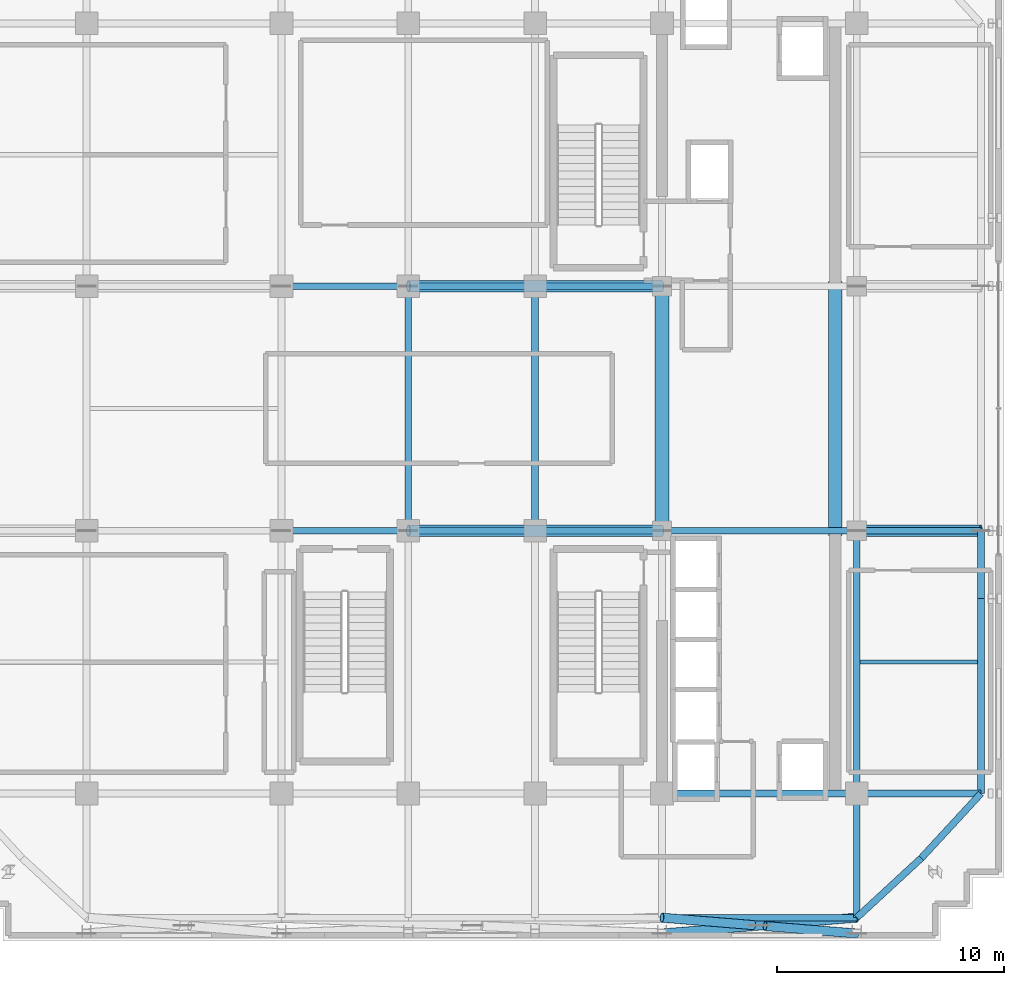
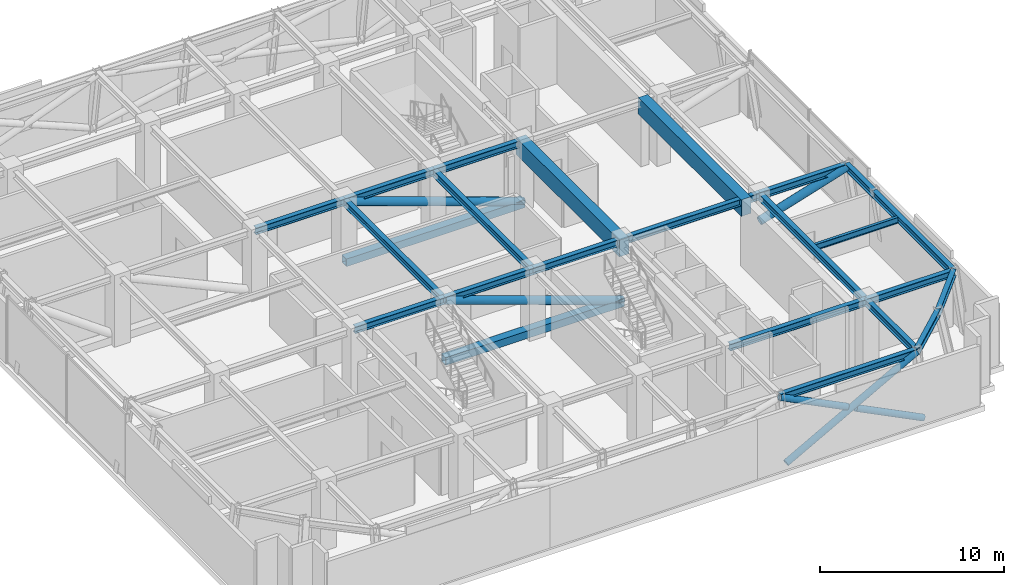
# One storey, part 5 of 15: 22 beams, 8 members.
"""IFC4 building model written with IfcOpenShell, lengths in metres."""

from ifc_helpers import new_model, si_unit, direction, frame, origin, origin_2d, place, context, subcontext, project, spatial, rectangle, hollow_rectangle, hollow_circle, i_section, extrude, source, transform, mapped, material, material_profile, profile_set, type_object, element, save


model = new_model("IFC4")

# Units and contexts
model_context = context("Model", 3, precision=1e-05, world=origin(), true_north=direction((0.0, 1.0)))
body_context = subcontext(model_context, "Body", "Model", "MODEL_VIEW")
ifc_project = project(units=[si_unit("LENGTHUNIT", "METRE"), si_unit("AREAUNIT", "SQUARE_METRE"), si_unit("VOLUMEUNIT", "CUBIC_METRE"), si_unit("PLANEANGLEUNIT", "RADIAN"), si_unit("MASSUNIT", "GRAM", prefix="KILO")], contexts=[model_context])

# Site, building, storey
site_placement = place(None, origin())
site = spatial("IfcSite", under=ifc_project, at=site_placement, CompositionType="ELEMENT")
building_placement = place(site_placement, origin())
building = spatial("IfcBuilding", under=site, at=building_placement, Name="Nahalor Promenade Grand Hotel", CompositionType="ELEMENT")
storey_placement = place(building_placement, frame((0.0, 0.0, 261.5)))
storey = spatial("IfcBuildingStorey", under=building, at=storey_placement, Name="L67", CompositionType="ELEMENT", Elevation=261.5)

# Beams
ifc_material_1 = material(Name="Concrete B-60 (C50/60)", Category="concrete")
ifc_material_profile_1 = material_profile(ifc_material_1, rectangle(XDim=0.6, YDim=1.1, at=origin_2d()), Name="RC 600x1100")
ifc_profile_set_1 = profile_set([ifc_material_profile_1], Name="Concrete B-60 (C50/60)")
beam_type_1 = type_object("IfcBeamType", Name="Beam-Lintel-RC1100", PredefinedType="LINTEL", material=ifc_profile_set_1)
shared_shape_1 = source(origin(), body_context, "Body", "SweptSolid", [
    extrude(rectangle(XDim=0.6, YDim=1.1, at=origin_2d()), origin(), (0.0, 0.0, 1.0), 11.2001953125),
])
for number, where, z_axis, x_axis, name in (
    (1, (8.39990234375, -5.60009765625, 3.949951171875), (0.0, 1.0, 0.0), (-1.0, 0.0, 0.0), "BM-L67-LINT-W"),
    (2, (16.050048828125, -5.60009765625, 3.949951171875), (0.0, 1.0, 0.0), (-1.0, 0.0, 0.0), "BM-L67-LINT-E"),
):
    element("IfcBeam", number, at=place(storey_placement, frame(where, z_axis=z_axis, x_axis=x_axis)), inside=storey, type_object=beam_type_1, Name=name, PredefinedType="LINTEL", context=body_context, shape_type="MappedRepresentation", body=[
        mapped(shared_shape_1, transform((0.0, 0.0, 0.0), scale=1.0)),
    ])
ifc_material_2 = material(Name="Steel S355JR", Category="steel")
ifc_material_profile_2 = material_profile(ifc_material_2, i_section(OverallWidth=0.3, OverallDepth=0.45, WebThickness=0.014, FlangeThickness=0.026, at=origin_2d()), Name="HEB 450")
ifc_profile_set_2 = profile_set([ifc_material_profile_2], Name="Steel S355JR")
beam_type_2 = type_object("IfcBeamType", Name="Beam-Spandrel-HEB450", PredefinedType="SPANDREL", material=ifc_profile_set_2)
shared_shape_2 = source(origin(), body_context, "Body", "SweptSolid", [
    extrude(i_section(OverallWidth=0.3, OverallDepth=0.45, WebThickness=0.014, FlangeThickness=0.026, at=origin_2d()), origin(), (0.0, 0.0, 1.0), 8.60009765625),
])
for number, where, z_axis, x_axis, name in (
    (3, (8.39990234375, -22.47998046875, 4.27490234375), (1.0, 0.0, 0.0), (0.0, 1.0, 0.0), "BM-L67-SP-S-4"),
    (4, (22.47998046875, -17.0, 4.27490234375), (0.0, 1.0, 0.0), (-1.0, 0.0, 0.0), "BM-L67-SP-E-0"),
):
    element("IfcBeam", number, at=place(storey_placement, frame(where, z_axis=z_axis, x_axis=x_axis)), inside=storey, type_object=beam_type_2, Name=name, PredefinedType="SPANDREL", context=body_context, shape_type="MappedRepresentation", body=[
        mapped(shared_shape_2, transform((0.0, 0.0, 0.0), scale=1.0)),
    ])
shared_shape_3 = source(origin(), body_context, "Body", "SweptSolid", [
    extrude(i_section(OverallWidth=0.3, OverallDepth=0.45, WebThickness=0.014, FlangeThickness=0.026, at=origin_2d()), origin(), (0.0, 0.0, 1.0), 3.0),
])
beam_1_placement = place(storey_placement, frame((22.47998046875, -8.39990234375, 4.27490234375), z_axis=(0.0, 1.0, 0.0), x_axis=(-1.0, 0.0, 0.0)))
element("IfcBeam", 5, at=beam_1_placement, inside=storey, type_object=beam_type_2, Name="BM-L67-SP-E-1", PredefinedType="SPANDREL", context=body_context, shape_type="MappedRepresentation", body=[
    mapped(shared_shape_3, transform((0.0, 0.0, 0.0), scale=1.0)),
])
shared_shape_4 = source(origin(), body_context, "Body", "SweptSolid", [
    extrude(i_section(OverallWidth=0.3, OverallDepth=0.45, WebThickness=0.014, FlangeThickness=0.026, at=origin_2d()), origin(), (0.0, 0.0, 1.0), 3.878173828125),
])
for number, where, z_axis, x_axis, name in (
    (6, (17.0, -22.47998046875, 4.27490234375), (0.73492893846, 0.678144125843, 0.0), (-0.678144125843, 0.73492893846, 0.0), "BM-L67-SPC-SE-1"),
    (7, (19.85009765625, -19.85009765625, 4.27490234375), (0.678144125843, 0.73492893846, 0.0), (-0.73492893846, 0.678144125843, 0.0), "BM-L67-SPC-SE-2"),
):
    element("IfcBeam", number, at=place(storey_placement, frame(where, z_axis=z_axis, x_axis=x_axis)), inside=storey, type_object=beam_type_2, Name=name, PredefinedType="SPANDREL", context=body_context, shape_type="MappedRepresentation", body=[
        mapped(shared_shape_4, transform((0.0, 0.0, 0.0), scale=1.0)),
    ])
ifc_material_profile_3 = material_profile(ifc_material_2, i_section(OverallWidth=0.3, OverallDepth=0.45, WebThickness=0.014, FlangeThickness=0.026, at=origin_2d()), Name="HEB 450")
ifc_profile_set_3 = profile_set([ifc_material_profile_3], Name="Steel S355JR")
beam_type_3 = type_object("IfcBeamType", Name="Beam-Girder-HEB450", PredefinedType="BEAM", material=ifc_profile_set_3)
shared_shape_5 = source(origin(), body_context, "Body", "SweptSolid", [
    extrude(i_section(OverallWidth=0.3, OverallDepth=0.45, WebThickness=0.014, FlangeThickness=0.026, at=origin_2d()), origin(), (0.0, 0.0, 1.0), 8.60009765625),
])
for number, where, z_axis, x_axis, name in (
    (8, (8.39990234375, -17.0, 4.27490234375), (1.0, 0.0, 0.0), (0.0, 1.0, 0.0), "BM-L67-GX-0-5"),
    (9, (8.39990234375, -5.39990234375, 4.27490234375), (1.0, 0.0, 0.0), (0.0, 1.0, 0.0), "BM-L67-GX-1-5"),
):
    element("IfcBeam", number, at=place(storey_placement, frame(where, z_axis=z_axis, x_axis=x_axis)), inside=storey, type_object=beam_type_3, Name=name, PredefinedType="BEAM", context=body_context, shape_type="MappedRepresentation", body=[
        mapped(shared_shape_5, transform((0.0, 0.0, 0.0), scale=1.0)),
    ])
shared_shape_6 = source(origin(), body_context, "Body", "SweptSolid", [
    extrude(i_section(OverallWidth=0.3, OverallDepth=0.45, WebThickness=0.014, FlangeThickness=0.026, at=origin_2d()), origin(), (0.0, 0.0, 1.0), 5.599853515625),
])
for number, where, z_axis, x_axis, name in (
    (10, (-8.39990234375, -5.39990234375, 4.27490234375), (1.0, 0.0, 0.0), (0.0, 1.0, 0.0), "BM-L67-GX-1-2"),
    (11, (2.800048828125, -5.39990234375, 4.27490234375), (1.0, 0.0, 0.0), (0.0, 1.0, 0.0), "BM-L67-GX-1-4"),
    (12, (-8.39990234375, 5.39990234375, 4.27490234375), (1.0, 0.0, 0.0), (0.0, 1.0, 0.0), "BM-L67-GX-2-2"),
    (13, (2.800048828125, 5.39990234375, 4.27490234375), (1.0, 0.0, 0.0), (0.0, 1.0, 0.0), "BM-L67-GX-2-4"),
):
    element("IfcBeam", number, at=place(storey_placement, frame(where, z_axis=z_axis, x_axis=x_axis)), inside=storey, type_object=beam_type_3, Name=name, PredefinedType="BEAM", context=body_context, shape_type="MappedRepresentation", body=[
        mapped(shared_shape_6, transform((0.0, 0.0, 0.0), scale=1.0)),
    ])
shared_shape_7 = source(origin(), body_context, "Body", "SweptSolid", [
    extrude(i_section(OverallWidth=0.3, OverallDepth=0.45, WebThickness=0.014, FlangeThickness=0.026, at=origin_2d()), origin(), (0.0, 0.0, 1.0), 5.60009765625),
])
for number, where, z_axis, x_axis, name in (
    (14, (-2.800048828125, -5.39990234375, 4.27490234375), (1.0, 0.0, 0.0), (0.0, 1.0, 0.0), "BM-L67-GX-1-3"),
    (15, (-2.800048828125, 5.39990234375, 4.27490234375), (1.0, 0.0, 0.0), (0.0, 1.0, 0.0), "BM-L67-GX-2-3"),
):
    element("IfcBeam", number, at=place(storey_placement, frame(where, z_axis=z_axis, x_axis=x_axis)), inside=storey, type_object=beam_type_3, Name=name, PredefinedType="BEAM", context=body_context, shape_type="MappedRepresentation", body=[
        mapped(shared_shape_7, transform((0.0, 0.0, 0.0), scale=1.0)),
    ])
shared_shape_8 = source(origin(), body_context, "Body", "SweptSolid", [
    extrude(i_section(OverallWidth=0.3, OverallDepth=0.45, WebThickness=0.014, FlangeThickness=0.026, at=origin_2d()), origin(), (0.0, 0.0, 1.0), 11.60009765625),
])
beam_2_placement = place(storey_placement, frame((17.0, -17.0, 4.27490234375), z_axis=(0.0, 1.0, 0.0), x_axis=(-1.0, 0.0, 0.0)))
element("IfcBeam", 16, at=beam_2_placement, inside=storey, type_object=beam_type_3, Name="BM-L67-GY-5-1", PredefinedType="BEAM", context=body_context, shape_type="MappedRepresentation", body=[
    mapped(shared_shape_8, transform((0.0, 0.0, 0.0), scale=1.0)),
])
shared_shape_9 = source(origin(), body_context, "Body", "SweptSolid", [
    extrude(i_section(OverallWidth=0.3, OverallDepth=0.45, WebThickness=0.014, FlangeThickness=0.026, at=origin_2d()), origin(), (0.0, 0.0, 1.0), 10.7998046875),
])
for number, where, z_axis, x_axis, name in (
    (17, (-2.800048828125, -5.39990234375, 4.27490234375), (0.0, 1.0, 0.0), (-1.0, 0.0, 0.0), "BM-L67-GY-2-2"),
    (18, (2.800048828125, -5.39990234375, 4.27490234375), (0.0, 1.0, 0.0), (-1.0, 0.0, 0.0), "BM-L67-GY-3-2"),
):
    element("IfcBeam", number, at=place(storey_placement, frame(where, z_axis=z_axis, x_axis=x_axis)), inside=storey, type_object=beam_type_3, Name=name, PredefinedType="BEAM", context=body_context, shape_type="MappedRepresentation", body=[
        mapped(shared_shape_9, transform((0.0, 0.0, 0.0), scale=1.0)),
    ])
shared_shape_10 = source(origin(), body_context, "Body", "SweptSolid", [
    extrude(i_section(OverallWidth=0.3, OverallDepth=0.45, WebThickness=0.014, FlangeThickness=0.026, at=origin_2d()), origin(), (0.0, 0.0, 1.0), 5.47998046875),
])
for number, where, z_axis, x_axis, name in (
    (19, (17.0, -17.0, 4.27490234375), (1.0, 0.0, 0.0), (0.0, 1.0, 0.0), "BM-L67-GX-0-6"),
    (20, (17.0, -5.39990234375, 4.27490234375), (1.0, 0.0, 0.0), (0.0, 1.0, 0.0), "BM-L67-GX-1-6"),
    (21, (17.0, -22.47998046875, 4.27490234375), (0.0, 1.0, 0.0), (-1.0, 0.0, 0.0), "BM-L67-GY-5-0"),
):
    element("IfcBeam", number, at=place(storey_placement, frame(where, z_axis=z_axis, x_axis=x_axis)), inside=storey, type_object=beam_type_3, Name=name, PredefinedType="BEAM", context=body_context, shape_type="MappedRepresentation", body=[
        mapped(shared_shape_10, transform((0.0, 0.0, 0.0), scale=1.0)),
    ])
ifc_material_profile_4 = material_profile(ifc_material_2, i_section(OverallWidth=0.18, OverallDepth=0.4, WebThickness=0.0086, FlangeThickness=0.0135, at=origin_2d()), Name="IPE 400")
ifc_profile_set_4 = profile_set([ifc_material_profile_4], Name="Steel S355JR")
beam_type_4 = type_object("IfcBeamType", Name="Beam-Joist-IPE400", PredefinedType="JOIST", material=ifc_profile_set_4)
shared_shape_11 = source(origin(), body_context, "Body", "SweptSolid", [
    extrude(i_section(OverallWidth=0.18, OverallDepth=0.4, WebThickness=0.0086, FlangeThickness=0.0135, at=origin_2d()), origin(), (0.0, 0.0, 1.0), 5.18017578125),
])
beam_3_placement = place(storey_placement, frame((17.14990234375, -11.199951171875, 4.300048828125), z_axis=(1.0, 0.0, 0.0), x_axis=(0.0, 1.0, 0.0)))
element("IfcBeam", 22, at=beam_3_placement, inside=storey, type_object=beam_type_4, Name="BM-L67-JSE-0-2", PredefinedType="JOIST", context=body_context, shape_type="MappedRepresentation", body=[
    mapped(shared_shape_11, transform((0.0, 0.0, 0.0), scale=1.0)),
])

# Members
ifc_material_3 = material(Name="Steel S355J2", Category="steel")
ifc_material_profile_5 = material_profile(ifc_material_3, hollow_circle(Radius=0.254, WallThickness=0.025, at=origin_2d()), Name="CHS 508x25")
ifc_profile_set_5 = profile_set([ifc_material_profile_5], Name="Steel S355J2")
member_type_1 = type_object("IfcMemberType", Name="Mem-OutDiag-CHS508", PredefinedType="BRACE", material=ifc_profile_set_5)
shared_shape_12 = source(origin(), body_context, "Body", "SweptSolid", [
    extrude(hollow_circle(Radius=0.254, WallThickness=0.025, at=origin_2d()), origin(), (0.0, 0.0, 1.0), 11.8759765625),
])
for number, where, z_axis, x_axis, name in (
    (23, (8.39990234375, -5.39990234375, 0.300048828125), (-0.943068868052, 0.0, 0.3325975197), (0.0, -1.0, 0.0), "OU-L67-W1-D0"),
    (24, (8.39990234375, 5.39990234375, 0.300048828125), (-0.943068868052, 0.0, 0.3325975197), (0.0, -1.0, 0.0), "OU-L67-W2-D0"),
):
    element("IfcMember", number, at=place(storey_placement, frame(where, z_axis=z_axis, x_axis=x_axis)), inside=storey, type_object=member_type_1, Name=name, PredefinedType="BRACE", context=body_context, shape_type="MappedRepresentation", body=[
        mapped(shared_shape_12, transform((0.0, 0.0, 0.0), scale=1.0)),
    ])
ifc_material_profile_6 = material_profile(ifc_material_3, hollow_rectangle(XDim=0.5, YDim=0.5, WallThickness=0.032, at=origin_2d()), Name="SHS 500x500x32")
ifc_profile_set_6 = profile_set([ifc_material_profile_6], Name="Steel S355J2")
member_type_2 = type_object("IfcMemberType", Name="Mem-Chord-SHS500", PredefinedType="CHORD", material=ifc_profile_set_6)
shared_shape_13 = source(origin(), body_context, "Body", "SweptSolid", [
    extrude(hollow_rectangle(XDim=0.5, YDim=0.5, WallThickness=0.032, at=origin_2d()), origin(), (0.0, 0.0, 1.0), 11.199951171875),
])
for number, where, z_axis, x_axis, name in (
    (25, (8.39990234375, -5.39990234375, 0.300048828125), (-1.0, 0.0, 0.0), (0.0, -1.0, 0.0), "OU-L67-W1-C0"),
    (26, (8.39990234375, 5.39990234375, 0.300048828125), (-1.0, 0.0, 0.0), (0.0, -1.0, 0.0), "OU-L67-W2-C0"),
):
    element("IfcMember", number, at=place(storey_placement, frame(where, z_axis=z_axis, x_axis=x_axis)), inside=storey, type_object=member_type_2, Name=name, PredefinedType="CHORD", context=body_context, shape_type="MappedRepresentation", body=[
        mapped(shared_shape_13, transform((0.0, 0.0, 0.0), scale=1.0)),
    ])
shared_shape_14 = source(origin(), body_context, "Body", "SweptSolid", [
    extrude(hollow_circle(Radius=0.254, WallThickness=0.025, at=origin_2d()), origin(), (0.0, 0.0, 1.0), 5.737548828125),
])
member_1_placement = place(storey_placement, frame((17.0, -5.39990234375, 2.550048828125), z_axis=(0.955100265777, 0.0, 0.296282774241), x_axis=(0.0, 1.0, 0.0)))
element("IfcMember", 27, at=member_1_placement, inside=storey, type_object=member_type_1, Name="OU-L67-E1-D0", PredefinedType="BRACE", context=body_context, shape_type="MappedRepresentation", body=[
    mapped(shared_shape_14, transform((0.0, 0.0, 0.0), scale=1.0)),
])
ifc_material_profile_7 = material_profile(ifc_material_3, hollow_circle(Radius=0.2032, WallThickness=0.02, at=origin_2d()), Name="CHS 406.4x20")
ifc_profile_set_7 = profile_set([ifc_material_profile_7], Name="Steel S355J2")
member_type_3 = type_object("IfcMemberType", Name="Mem-BeltDiag-CHS406", PredefinedType="BRACE", material=ifc_profile_set_7)
shared_shape_15 = source(origin(), body_context, "Body", "SweptSolid", [
    extrude(hollow_circle(Radius=0.2032, WallThickness=0.02, at=origin_2d()), origin(), (0.0, 0.0, 1.0), 9.48974609375),
])
member_2_placement = place(storey_placement, frame((8.39990234375, -23.179931640625, 0.300048828125), z_axis=(0.906259433855, 0.073759319731, 0.41623719356), x_axis=(-0.081120514078, 0.99670430028, 0.0)))
element("IfcMember", 28, at=member_2_placement, inside=storey, type_object=member_type_3, Name="BT-L67-S-D1-2", PredefinedType="BRACE", context=body_context, shape_type="MappedRepresentation", body=[
    mapped(shared_shape_15, transform((0.0, 0.0, 0.0), scale=1.0)),
])
shared_shape_16 = source(origin(), body_context, "Body", "SweptSolid", [
    extrude(hollow_circle(Radius=0.2032, WallThickness=0.02, at=origin_2d()), origin(), (0.0, 0.0, 1.0), 4.466552734375),
])
for number, where, z_axis, x_axis, name in (
    (29, (17.0, -23.179931640625, 0.300048828125), (-0.906262059154, 0.073736279722, 0.416235559738), (-0.081095107965, -0.996706367725, 0.0), "BT-L67-S-D2-2A"),
    (30, (12.44775390625, -22.8095703125, 2.390869140625), (-0.906258405204, 0.073790642161, 0.416233881522), (-0.081154827167, -0.996701506986, 0.0), "BT-L67-S-D2-2B"),
):
    element("IfcMember", number, at=place(storey_placement, frame(where, z_axis=z_axis, x_axis=x_axis)), inside=storey, type_object=member_type_3, Name=name, PredefinedType="BRACE", context=body_context, shape_type="MappedRepresentation", body=[
        mapped(shared_shape_16, transform((0.0, 0.0, 0.0), scale=1.0)),
    ])

save(model, "model.ifc")
